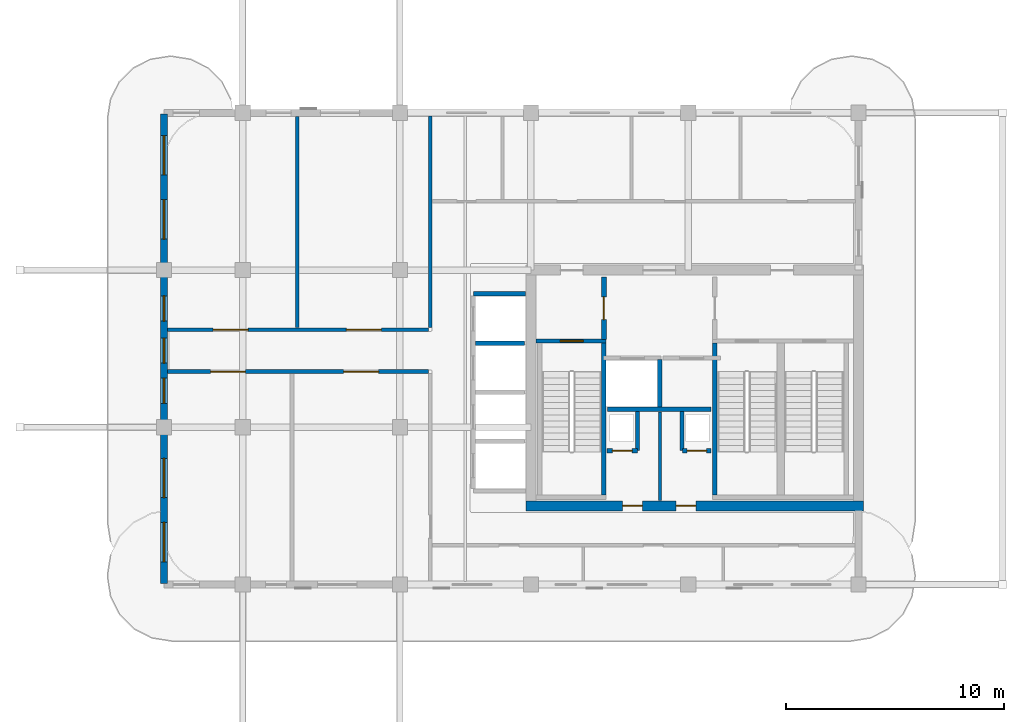
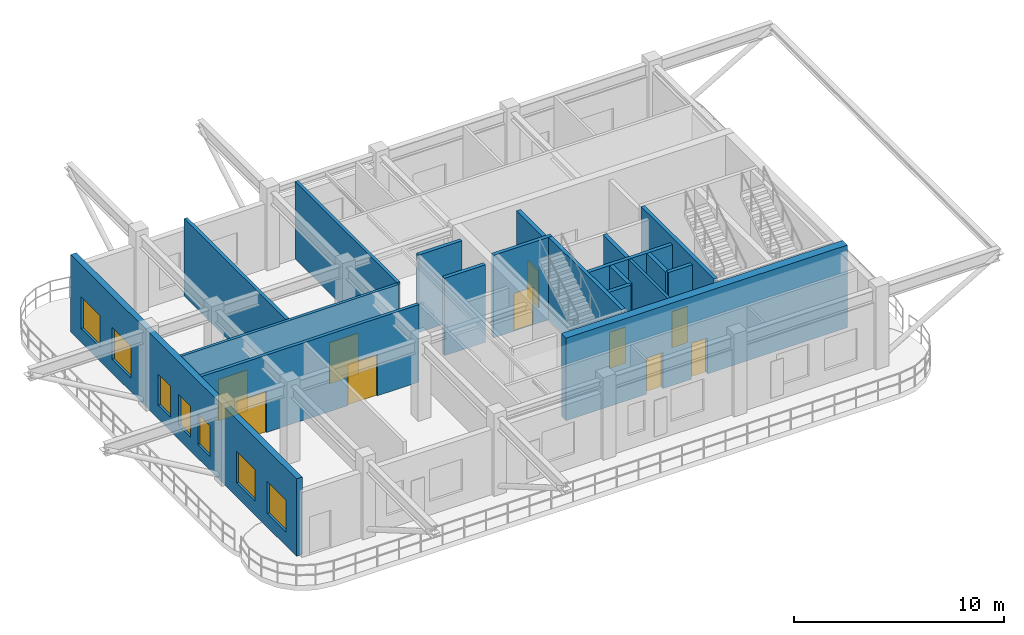
# One storey, part 3 of 8: 19 walls, 10 doors, 7 windows, 17 openings.
"""IFC4 building model written with IfcOpenShell, lengths in metres."""

import ifcopenshell
import ifcopenshell.guid

model = None  # the IFC model being written
_history = None  # IfcOwnerHistory: only IFC2X3 demands one
_inside = {}  # id of a spatial element -> (the spatial element, [elements in it])
_under = {}  # id of a project, library or spatial element -> (it, [spatial elements below it])
_declared = {}  # id of a project -> (the project, [libraries it declares])
_typed = {}  # id of a type object -> (the type object, [elements of that type])
_made_of = {}  # id of a material, layer set ... -> (it, [elements and type objects made of it])


def new_model(schema):
    """Start an empty IFC model of exactly this schema.

    Asked for "IFC4X3", IfcOpenShell would pick the latest addendum, in which some entities
    have other attributes; the version numbers below select the first issue.
    IFC2X3 requires an IfcOwnerHistory on every rooted entity: one is made here for all.
    """
    global model, _history
    if schema == "IFC4X3":
        model = ifcopenshell.file(schema_version=(4, 3, 0, 0))
    else:
        model = ifcopenshell.file(schema=schema)
    _inside.clear()
    _under.clear()
    _declared.clear()
    _typed.clear()
    _made_of.clear()
    _history = None
    if model.schema == "IFC2X3":
        org = make("IfcOrganization", Name="unknown")
        user = make(
            "IfcPersonAndOrganization",
            ThePerson=make("IfcPerson", FamilyName="unknown"),
            TheOrganization=org,
        )
        app = make(
            "IfcApplication",
            ApplicationDeveloper=org,
            Version="unknown",
            ApplicationFullName="unknown",
            ApplicationIdentifier="unknown",
        )
        _history = make(
            "IfcOwnerHistory",
            OwningUser=user,
            OwningApplication=app,
            ChangeAction="ADDED",
            CreationDate=0,
        )
    return model


def make(cls, **values):
    """One entity of the class cls with the attributes given. An attribute that is None is left unset."""
    return model.create_entity(
        cls, **{name: value for name, value in values.items() if value is not None}
    )


def rooted(cls, **values):
    """An entity with a GlobalId (a new one), such as an element, a storey or a relation."""
    return make(cls, GlobalId=ifcopenshell.guid.new(), OwnerHistory=_history, **values)


def si_unit(unit_type, name, prefix=None):
    """IfcSIUnit, for example si_unit("LENGTHUNIT", "METRE", prefix="MILLI")."""
    return make("IfcSIUnit", UnitType=unit_type, Prefix=prefix, Name=name)


def derived_unit(unit_type, elements):
    """IfcDerivedUnit: a product of units, each with its exponent."""
    return make(
        "IfcDerivedUnit",
        Elements=[
            make("IfcDerivedUnitElement", Unit=unit, Exponent=power)
            for unit, power in elements
        ],
        UnitType=unit_type,
    )


def assignment(units):
    """IfcUnitAssignment: the units of a project."""
    return None if units is None else make("IfcUnitAssignment", Units=units)


def point(xyz):
    """IfcCartesianPoint."""
    return None if xyz is None else make("IfcCartesianPoint", Coordinates=xyz)


def direction(xyz):
    """IfcDirection."""
    return None if xyz is None else make("IfcDirection", DirectionRatios=xyz)


def frame(location, z_axis=None, x_axis=None):
    """IfcAxis2Placement3D, a coordinate frame: its origin and axes. An axis left out is left unset."""
    return make(
        "IfcAxis2Placement3D",
        Location=point(location),
        Axis=direction(z_axis),
        RefDirection=direction(x_axis),
    )


def frame_2d(location, x_axis=None):
    """IfcAxis2Placement2D, a coordinate frame in the plane: its origin and x axis."""
    return make(
        "IfcAxis2Placement2D", Location=point(location), RefDirection=direction(x_axis)
    )


def origin():
    """The frame at (0, 0, 0) with its axes left unset."""
    return frame((0.0, 0.0, 0.0))


def place(relative_to, where):
    """IfcLocalPlacement: puts the frame where relative to a parent placement (None: the world)."""
    return make(
        "IfcLocalPlacement", PlacementRelTo=relative_to, RelativePlacement=where
    )


def context(
    kind, dimensions, precision=None, world=None, true_north=None, identifier=None
):
    """IfcGeometricRepresentationContext, for example the 3D "Model" context."""
    return make(
        "IfcGeometricRepresentationContext",
        ContextIdentifier=identifier,
        ContextType=kind,
        CoordinateSpaceDimension=dimensions,
        Precision=precision,
        WorldCoordinateSystem=world,
        TrueNorth=true_north,
    )


def subcontext(parent, identifier, kind, view, scale=None):
    """IfcGeometricRepresentationSubContext, for example "Body" below "Model"."""
    return make(
        "IfcGeometricRepresentationSubContext",
        ContextIdentifier=identifier,
        ContextType=kind,
        ParentContext=parent,
        TargetScale=scale,
        TargetView=view,
    )


def project(units=None, contexts=None):
    """IfcProject with its units and contexts."""
    return rooted(
        "IfcProject",
        Name="project",
        RepresentationContexts=contexts,
        UnitsInContext=assignment(units),
    )


def spatial(cls, under=None, at=None, **own):
    """A site, building, storey or space (cls), placed at a placement, below another one or the project."""
    s = rooted(cls, ObjectPlacement=at, **own)
    if under is not None:
        _under.setdefault(under.id(), (under, []))[1].append(s)
    return s


def profile(cls, at=None, kind="AREA", **sizes):
    """A parametric profile (cls). Its sizes go by their IFC names, for example OverallWidth=200.0."""
    return make(cls, ProfileType=kind, Position=at, **sizes)


def rectangle(**sizes):
    """IfcRectangleProfileDef."""
    return profile("IfcRectangleProfileDef", **sizes)


def extrude(swept, where, along, depth):
    """IfcExtrudedAreaSolid: the profile swept, set in the frame where, extruded along a direction by depth."""
    return make(
        "IfcExtrudedAreaSolid",
        SweptArea=swept,
        Position=where,
        ExtrudedDirection=direction(along),
        Depth=depth,
    )


def shape(context_of_items, identifier, shape_type, items):
    """IfcShapeRepresentation: the items that make up one representation, for example the "Body"."""
    return make(
        "IfcShapeRepresentation",
        ContextOfItems=context_of_items,
        RepresentationIdentifier=identifier,
        RepresentationType=shape_type,
        Items=items,
    )


def source(mapping_origin, context_of_items, identifier, shape_type, items):
    """IfcRepresentationMap: a shape defined once, which mapped items show again and again."""
    return make(
        "IfcRepresentationMap",
        MappingOrigin=mapping_origin,
        MappedRepresentation=shape(context_of_items, identifier, shape_type, items),
    )


def transform(
    local_origin,
    x_axis=None,
    y_axis=None,
    z_axis=None,
    scale=None,
    scale2=None,
    scale3=None,
    uniform=True,
):
    """IfcCartesianTransformationOperator3D, or its non-uniform kind. x_axis, y_axis, z_axis: its Axis1, 2, 3."""
    if uniform:
        return make(
            "IfcCartesianTransformationOperator3D",
            Axis1=direction(x_axis),
            Axis2=direction(y_axis),
            LocalOrigin=point(local_origin),
            Scale=scale,
            Axis3=direction(z_axis),
        )
    return make(
        "IfcCartesianTransformationOperator3DnonUniform",
        Axis1=direction(x_axis),
        Axis2=direction(y_axis),
        LocalOrigin=point(local_origin),
        Scale=scale,
        Axis3=direction(z_axis),
        Scale2=scale2,
        Scale3=scale3,
    )


def mapped(mapping_source, mapping_target):
    """IfcMappedItem: shows the shape of a source again, moved by a transform."""
    return make(
        "IfcMappedItem", MappingSource=mapping_source, MappingTarget=mapping_target
    )


def material(Name=None, Category=None):
    """IfcMaterial."""
    return make("IfcMaterial", Name=Name, Category=Category)


def layer(
    of_material, thickness, ventilated=None, Name=None, Category=None, Priority=None
):
    """IfcMaterialLayer: one layer of a wall or slab, of a material (None: an air gap)."""
    return make(
        "IfcMaterialLayer",
        Material=of_material,
        LayerThickness=thickness,
        IsVentilated=ventilated,
        Name=Name,
        Category=Category,
        Priority=Priority,
    )


def layer_set(layers, Name=None):
    """IfcMaterialLayerSet."""
    return make("IfcMaterialLayerSet", MaterialLayers=layers, LayerSetName=Name)


def made_of(thing, what):
    """Note that an element or type object is made of a material, layer set ...; save() writes the relation."""
    if what is not None:
        _made_of.setdefault(what.id(), (what, []))[1].append(thing)
    return thing


def type_object(cls, material=None, **own):
    """A type object (cls), such as IfcWallType, which elements share."""
    return made_of(rooted(cls, **own), material)


def type_shapes(of_type, sources):
    """Give a type object the sources (RepresentationMaps) that its elements show as mapped items."""
    of_type.RepresentationMaps = sources


def element(
    cls,
    number,
    at=None,
    inside=None,
    cuts=None,
    type_object=None,
    material=None,
    context=None,
    identifier="Body",
    shape_type=None,
    held_by="IfcProductDefinitionShape",
    body=None,
    shapes=None,
    **own,
):
    """One element of the class cls, such as IfcWall. Its Tag is "e" and its number.

    at: its placement. inside: the storey or other place that contains it. cuts: it is an
    opening in that element (IfcRelVoidsElement). A single representation is given by context,
    identifier, shape_type and body (its items); several are given by shapes. held_by: the class
    of the entity that holds the representations. save() writes the other relations.
    """
    e = rooted(cls, Tag="e%d" % number, ObjectPlacement=at, **own)
    if body is not None:
        shapes = [shape(context, identifier, shape_type, body)]
    if shapes is not None:
        e.Representation = make(held_by, Representations=shapes)
    if inside is not None:
        _inside.setdefault(inside.id(), (inside, []))[1].append(e)
    if cuts is not None:
        rooted(
            "IfcRelVoidsElement", RelatingBuildingElement=cuts, RelatedOpeningElement=e
        )
    if type_object is not None:
        _typed.setdefault(type_object.id(), (type_object, []))[1].append(e)
    return made_of(e, material)


def fill(opening, filler):
    """IfcRelFillsElement: the door or window that sits in an opening."""
    return rooted(
        "IfcRelFillsElement",
        RelatingOpeningElement=opening,
        RelatedBuildingElement=filler,
    )


def aggregate(whole, parts):
    """IfcRelAggregates: a whole, such as a stair, and the parts it consists of."""
    return rooted("IfcRelAggregates", RelatingObject=whole, RelatedObjects=parts)


def save(model, path):
    """Write the relations noted so far, then the file.

    IfcRelAggregates (storeys below a building ...), IfcRelContainedInSpatialStructure (elements
    in a storey), IfcRelDefinesByType, IfcRelAssociatesMaterial and IfcRelDeclares: one each for
    every whole, place, type object, material and project.
    """
    for whole, parts in _under.values():
        aggregate(whole, parts)
    for where, things in _inside.values():
        rooted(
            "IfcRelContainedInSpatialStructure",
            RelatedElements=things,
            RelatingStructure=where,
        )
    for kind, things in _typed.values():
        rooted("IfcRelDefinesByType", RelatedObjects=things, RelatingType=kind)
    for what, things in _made_of.values():
        rooted("IfcRelAssociatesMaterial", RelatedObjects=things, RelatingMaterial=what)
    for by, libraries in _declared.values():
        rooted("IfcRelDeclares", RelatingContext=by, RelatedDefinitions=libraries)
    model.write(path)


model = new_model("IFC4")

# Units and contexts
model_context = context("Model", 3, precision=1e-05, world=origin(), true_north=direction((0.0, 1.0)))
body_context = subcontext(model_context, "Body", "Model", "MODEL_VIEW")
ifc_project = project(units=[si_unit("LENGTHUNIT", "METRE"), si_unit("AREAUNIT", "SQUARE_METRE"), si_unit("VOLUMEUNIT", "CUBIC_METRE"), si_unit("PLANEANGLEUNIT", "RADIAN"), si_unit("MASSUNIT", "GRAM", prefix="KILO"), si_unit("THERMODYNAMICTEMPERATUREUNIT", "KELVIN"), si_unit("POWERUNIT", "WATT"), derived_unit("THERMALTRANSMITTANCEUNIT", [(si_unit("POWERUNIT", "WATT"), 1), (si_unit("AREAUNIT", "SQUARE_METRE"), -1), (si_unit("THERMODYNAMICTEMPERATUREUNIT", "KELVIN"), -1)])], contexts=[model_context])

# Site, building, storey
site_placement = place(None, origin())
site = spatial("IfcSite", under=ifc_project, at=site_placement, CompositionType="ELEMENT")
building_placement = place(site_placement, origin())
building = spatial("IfcBuilding", under=site, at=building_placement, Name="Zahravan Archway Hotel and Residences", CompositionType="ELEMENT")
storey_placement = place(building_placement, frame((0.0, 0.0, 294.300048828125)))
storey = spatial("IfcBuildingStorey", under=building, at=storey_placement, Name="L74", CompositionType="ELEMENT", Elevation=294.300048828125)

# Wall, openings, doors
ifc_material_1 = material(Name="Concrete C50/60", Category="concrete")
ifc_layer_1 = layer(ifc_material_1, 0.449951171875, Name="Concrete C50/60", Category="concrete")
ifc_layer_set_1 = layer_set([ifc_layer_1], Name="Concrete C50/60")
wall_type_1 = type_object("IfcWallType", Name="CW-CORE-450", PredefinedType="SHEAR", material=ifc_layer_set_1)
wall_1_placement = place(storey_placement, frame((34.574951171875, 3.60009765625, 0.0), z_axis=(0.0, 0.0, 1.0), x_axis=(1.0, 0.0, 0.0)))
wall_1 = element("IfcWall", 1, at=wall_1_placement, inside=storey, type_object=wall_type_1, Name="L74 Core A Shear S Wall 450 mm", PredefinedType="SHEAR", context=body_context, shape_type="SweptSolid", body=[
    extrude(rectangle(XDim=15.449951171875, YDim=0.449951171875, at=frame_2d((7.72509765625, 0.0))), origin(), (0.0, 0.0, 1.0), 4.800048828125),
])
opening_1_placement = place(wall_1_placement, frame((4.425048828125, 0.0, 0.0)))
opening_1 = element("IfcOpeningElement", 2, at=opening_1_placement, cuts=wall_1, Name="Opening FD-R1", PredefinedType="OPENING", context=body_context, shape_type="SweptSolid", body=[
    extrude(rectangle(XDim=0.89990234375, YDim=2.10009765625, at=frame_2d((0.449951171875, 1.050048828125))), frame((0.0, 0.23486328125, 0.0), z_axis=(0.0, -1.0, 0.0), x_axis=(1.0, 0.0, 0.0)), (0.0, 0.0, 1.0), 0.469970703125),
])
opening_2_placement = place(wall_1_placement, frame((6.875, 0.0, 0.0)))
opening_2 = element("IfcOpeningElement", 3, at=opening_2_placement, cuts=wall_1, Name="Opening FD-R1", PredefinedType="OPENING", context=body_context, shape_type="SweptSolid", body=[
    extrude(rectangle(XDim=0.89990234375, YDim=2.10009765625, at=frame_2d((0.449951171875, 1.050048828125))), frame((0.0, 0.23486328125, 0.0), z_axis=(0.0, -1.0, 0.0), x_axis=(1.0, 0.0, 0.0)), (0.0, 0.0, 1.0), 0.469970703125),
])
ifc_material_2 = material(Name="Fire-Rated Painted Steel", Category="steel")
door_type_1 = type_object("IfcDoorType", Name="FD-RISER-900", OperationType="NOTDEFINED", PredefinedType="DOOR", material=ifc_material_2)
shared_shape_1 = source(origin(), body_context, "Body", "SweptSolid", [
    extrude(rectangle(XDim=0.89990234375, YDim=2.10009765625, at=frame_2d((0.449951171875, 1.050048828125))), frame((0.0, 0.02490234375, 0.0), z_axis=(0.0, -1.0, 0.0), x_axis=(1.0, 0.0, 0.0)), (0.0, 0.0, 1.0), 0.050048828125),
])
type_shapes(door_type_1, [shared_shape_1])
door_1_placement = place(opening_1_placement, origin())
door_1 = element("IfcDoor", 4, at=door_1_placement, inside=storey, type_object=door_type_1, Name="L74 Electrical Switchgear Door", OperationType="SINGLE_SWING_LEFT", OverallHeight=2.10009765625, OverallWidth=0.89990234375, PredefinedType="DOOR", context=body_context, shape_type="MappedRepresentation", body=[
    mapped(shared_shape_1, transform((0.0, 0.0, 0.0), scale=1.0)),
])
fill(opening_1, door_1)
door_2_placement = place(opening_2_placement, origin())
door_2 = element("IfcDoor", 5, at=door_2_placement, inside=storey, type_object=door_type_1, Name="L74 Telecom BMS Door", OperationType="SINGLE_SWING_RIGHT", OverallHeight=2.10009765625, OverallWidth=0.89990234375, PredefinedType="DOOR", context=body_context, shape_type="MappedRepresentation", body=[
    mapped(shared_shape_1, transform((0.0, 0.0, 0.0), scale=1.0)),
])
fill(opening_2, door_2)

# Wall, openings, windows
ifc_material_3 = material(Name="Agra Buff Sandstone & Insulated Backup", Category="masonry")
ifc_layer_2 = layer(ifc_material_3, 0.320068359375, Name="Agra Buff Sandstone & Insulated Backup", Category="masonry")
ifc_layer_set_2 = layer_set([ifc_layer_2], Name="Agra Buff Sandstone & Insulated Backup")
wall_type_2 = type_object("IfcWallType", Name="EW-SAND-320", PredefinedType="SOLIDWALL", material=ifc_layer_set_2)
wall_2_placement = place(storey_placement, frame((18.0, 0.050048828125, 0.0), z_axis=(0.0, 0.0, 1.0), x_axis=(0.0, 1.0, 0.0)))
wall_2 = element("IfcWall", 6, at=wall_2_placement, inside=storey, type_object=wall_type_2, Name="L74 Exterior Sandstone Wall WA-W", PredefinedType="SOLIDWALL", context=body_context, shape_type="SweptSolid", body=[
    extrude(rectangle(XDim=21.5, YDim=0.320068359375, at=frame_2d((10.75, 0.0))), origin(), (0.0, 0.0, 1.0), 4.5),
])
opening_3_placement = place(wall_2_placement, frame((0.989990234375, 0.0, 0.800048828125)))
opening_3 = element("IfcOpeningElement", 7, at=opening_3_placement, cuts=wall_2, Name="Opening W-02", PredefinedType="OPENING", context=body_context, shape_type="SweptSolid", body=[
    extrude(rectangle(XDim=1.800048828125, YDim=1.85009765625, at=frame_2d((0.89990234375, 0.925048828125))), frame((0.0, 0.169921875, 0.0), z_axis=(0.0, -1.0, 0.0), x_axis=(1.0, 0.0, 0.0)), (0.0, 0.0, 1.0), 0.340087890625),
])
opening_4_placement = place(wall_2_placement, frame((3.929931640625, 0.0, 0.800048828125)))
opening_4 = element("IfcOpeningElement", 8, at=opening_4_placement, cuts=wall_2, Name="Opening W-02", PredefinedType="OPENING", context=body_context, shape_type="SweptSolid", body=[
    extrude(rectangle(XDim=1.800048828125, YDim=1.85009765625, at=frame_2d((0.89990234375, 0.925048828125))), frame((0.0, 0.169921875, 0.0), z_axis=(0.0, -1.0, 0.0), x_axis=(1.0, 0.0, 0.0)), (0.0, 0.0, 1.0), 0.340087890625),
])
opening_5_placement = place(wall_2_placement, frame((8.24609375, 0.0, 0.800048828125)))
opening_5 = element("IfcOpeningElement", 9, at=opening_5_placement, cuts=wall_2, Name="Opening W-05", PredefinedType="OPENING", context=body_context, shape_type="SweptSolid", body=[
    extrude(rectangle(XDim=1.14990234375, YDim=1.800048828125, at=frame_2d((0.574951171875, 0.89990234375))), frame((0.0, 0.169921875, 0.0), z_axis=(0.0, -1.0, 0.0), x_axis=(1.0, 0.0, 0.0)), (0.0, 0.0, 1.0), 0.340087890625),
])
opening_6_placement = place(wall_2_placement, frame((10.0849609375, 0.0, 0.800048828125)))
opening_6 = element("IfcOpeningElement", 10, at=opening_6_placement, cuts=wall_2, Name="Opening W-05", PredefinedType="OPENING", context=body_context, shape_type="SweptSolid", body=[
    extrude(rectangle(XDim=1.14990234375, YDim=1.800048828125, at=frame_2d((0.574951171875, 0.89990234375))), frame((0.0, 0.169921875, 0.0), z_axis=(0.0, -1.0, 0.0), x_axis=(1.0, 0.0, 0.0)), (0.0, 0.0, 1.0), 0.340087890625),
])
opening_7_placement = place(wall_2_placement, frame((12.013916015625, 0.0, 0.800048828125)))
opening_7 = element("IfcOpeningElement", 11, at=opening_7_placement, cuts=wall_2, Name="Opening W-05", PredefinedType="OPENING", context=body_context, shape_type="SweptSolid", body=[
    extrude(rectangle(XDim=1.14990234375, YDim=1.800048828125, at=frame_2d((0.574951171875, 0.89990234375))), frame((0.0, 0.169921875, 0.0), z_axis=(0.0, -1.0, 0.0), x_axis=(1.0, 0.0, 0.0)), (0.0, 0.0, 1.0), 0.340087890625),
])
opening_8_placement = place(wall_2_placement, frame((15.77001953125, 0.0, 0.800048828125)))
opening_8 = element("IfcOpeningElement", 12, at=opening_8_placement, cuts=wall_2, Name="Opening W-02", PredefinedType="OPENING", context=body_context, shape_type="SweptSolid", body=[
    extrude(rectangle(XDim=1.800048828125, YDim=1.85009765625, at=frame_2d((0.89990234375, 0.925048828125))), frame((0.0, 0.169921875, 0.0), z_axis=(0.0, -1.0, 0.0), x_axis=(1.0, 0.0, 0.0)), (0.0, 0.0, 1.0), 0.340087890625),
])
opening_9_placement = place(wall_2_placement, frame((18.7099609375, 0.0, 0.800048828125)))
opening_9 = element("IfcOpeningElement", 13, at=opening_9_placement, cuts=wall_2, Name="Opening W-02", PredefinedType="OPENING", context=body_context, shape_type="SweptSolid", body=[
    extrude(rectangle(XDim=1.800048828125, YDim=1.85009765625, at=frame_2d((0.89990234375, 0.925048828125))), frame((0.0, 0.169921875, 0.0), z_axis=(0.0, -1.0, 0.0), x_axis=(1.0, 0.0, 0.0)), (0.0, 0.0, 1.0), 0.340087890625),
])
ifc_material_4 = material(Name="Bronze-Anodized Thermal-Break Aluminium & Low-E Glass", Category="aluminium")
window_type_1 = type_object("IfcWindowType", Name="WIN-TWR-1800", PartitioningType="DOUBLE_PANEL_VERTICAL", PredefinedType="WINDOW", material=ifc_material_4)
shared_shape_2 = source(origin(), body_context, "Body", "SweptSolid", [
    extrude(rectangle(XDim=1.800048828125, YDim=1.85009765625, at=frame_2d((0.89990234375, 0.925048828125))), frame((0.0, 0.030029296875, 0.0), z_axis=(0.0, -1.0, 0.0), x_axis=(1.0, 0.0, 0.0)), (0.0, 0.0, 1.0), 0.06005859375),
])
type_shapes(window_type_1, [shared_shape_2])
window_1_placement = place(opening_3_placement, origin())
window_1 = element("IfcWindow", 14, at=window_1_placement, inside=storey, type_object=window_type_1, Name="L74 Loggia Window 16", OverallHeight=1.85009765625, OverallWidth=1.800048828125, PartitioningType="DOUBLE_PANEL_VERTICAL", PredefinedType="WINDOW", context=body_context, shape_type="MappedRepresentation", body=[
    mapped(shared_shape_2, transform((0.0, 0.0, 0.0), scale=1.0)),
])
fill(opening_3, window_1)
window_2_placement = place(opening_4_placement, origin())
window_2 = element("IfcWindow", 15, at=window_2_placement, inside=storey, type_object=window_type_1, Name="L74 Loggia Window 17", OverallHeight=1.85009765625, OverallWidth=1.800048828125, PartitioningType="DOUBLE_PANEL_VERTICAL", PredefinedType="WINDOW", context=body_context, shape_type="MappedRepresentation", body=[
    mapped(shared_shape_2, transform((0.0, 0.0, 0.0), scale=1.0)),
])
fill(opening_4, window_2)
window_3_placement = place(opening_8_placement, origin())
window_3 = element("IfcWindow", 16, at=window_3_placement, inside=storey, type_object=window_type_1, Name="L74 Loggia Window 21", OverallHeight=1.85009765625, OverallWidth=1.800048828125, PartitioningType="DOUBLE_PANEL_VERTICAL", PredefinedType="WINDOW", context=body_context, shape_type="MappedRepresentation", body=[
    mapped(shared_shape_2, transform((0.0, 0.0, 0.0), scale=1.0)),
])
fill(opening_8, window_3)
window_4_placement = place(opening_9_placement, origin())
window_4 = element("IfcWindow", 17, at=window_4_placement, inside=storey, type_object=window_type_1, Name="L74 Loggia Window 22", OverallHeight=1.85009765625, OverallWidth=1.800048828125, PartitioningType="DOUBLE_PANEL_VERTICAL", PredefinedType="WINDOW", context=body_context, shape_type="MappedRepresentation", body=[
    mapped(shared_shape_2, transform((0.0, 0.0, 0.0), scale=1.0)),
])
fill(opening_9, window_4)
window_type_2 = type_object("IfcWindowType", Name="WIN-TWR-1150", PartitioningType="SINGLE_PANEL", PredefinedType="WINDOW", material=ifc_material_4)
shared_shape_3 = source(origin(), body_context, "Body", "SweptSolid", [
    extrude(rectangle(XDim=1.14990234375, YDim=1.800048828125, at=frame_2d((0.574951171875, 0.89990234375))), frame((0.0, 0.030029296875, 0.0), z_axis=(0.0, -1.0, 0.0), x_axis=(1.0, 0.0, 0.0)), (0.0, 0.0, 1.0), 0.06005859375),
])
type_shapes(window_type_2, [shared_shape_3])
window_5_placement = place(opening_5_placement, origin())
window_5 = element("IfcWindow", 18, at=window_5_placement, inside=storey, type_object=window_type_2, Name="L74 Loggia Window 18", OverallHeight=1.800048828125, OverallWidth=1.14990234375, PartitioningType="SINGLE_PANEL", PredefinedType="WINDOW", context=body_context, shape_type="MappedRepresentation", body=[
    mapped(shared_shape_3, transform((0.0, 0.0, 0.0), scale=1.0)),
])
fill(opening_5, window_5)
window_6_placement = place(opening_6_placement, origin())
window_6 = element("IfcWindow", 19, at=window_6_placement, inside=storey, type_object=window_type_2, Name="L74 Loggia Window 19", OverallHeight=1.800048828125, OverallWidth=1.14990234375, PartitioningType="SINGLE_PANEL", PredefinedType="WINDOW", context=body_context, shape_type="MappedRepresentation", body=[
    mapped(shared_shape_3, transform((0.0, 0.0, 0.0), scale=1.0)),
])
fill(opening_6, window_6)
window_7_placement = place(opening_7_placement, origin())
window_7 = element("IfcWindow", 20, at=window_7_placement, inside=storey, type_object=window_type_2, Name="L74 Loggia Window 20", OverallHeight=1.800048828125, OverallWidth=1.14990234375, PartitioningType="SINGLE_PANEL", PredefinedType="WINDOW", context=body_context, shape_type="MappedRepresentation", body=[
    mapped(shared_shape_3, transform((0.0, 0.0, 0.0), scale=1.0)),
])
fill(opening_7, window_7)

# Wall, opening, door
ifc_material_5 = material(Name="Fire-Rated Gypsum & Concrete Block", Category="concrete")
ifc_layer_3 = layer(ifc_material_5, 0.219970703125, Name="Fire-Rated Gypsum & Concrete Block", Category="concrete")
ifc_layer_set_3 = layer_set([ifc_layer_3], Name="Fire-Rated Gypsum & Concrete Block")
wall_type_3 = type_object("IfcWallType", Name="PW-COMP-220", PredefinedType="PARTITIONING", material=ifc_layer_set_3)
wall_3_placement = place(storey_placement, frame((38.139892578125, 11.219970703125, 0.0), z_axis=(0.0, 0.0, 1.0), x_axis=(0.0, 1.0, 0.0)))
wall_3 = element("IfcWall", 21, at=wall_3_placement, inside=storey, type_object=wall_type_3, Name="L74 Partition CA-LOBW", PredefinedType="PARTITIONING", context=body_context, shape_type="SweptSolid", body=[
    extrude(rectangle(XDim=2.860107421875, YDim=0.219970703125, at=frame_2d((1.43017578125, 0.0))), origin(), (0.0, 0.0, 1.0), 4.5),
])
opening_10_placement = place(wall_3_placement, frame((0.905029296875, 0.0, 0.0)))
opening_10 = element("IfcOpeningElement", 22, at=opening_10_placement, cuts=wall_3, Name="Opening FD-L2", PredefinedType="OPENING", context=body_context, shape_type="SweptSolid", body=[
    extrude(rectangle(XDim=1.050048828125, YDim=2.14990234375, at=frame_2d((0.52490234375, 1.074951171875))), frame((0.0, 0.1201171875, 0.0), z_axis=(0.0, -1.0, 0.0), x_axis=(1.0, 0.0, 0.0)), (0.0, 0.0, 1.0), 0.239990234375),
])
door_type_2 = type_object("IfcDoorType", Name="FD-LOBBY-1100", OperationType="NOTDEFINED", PredefinedType="DOOR", material=ifc_material_2)
shared_shape_4 = source(origin(), body_context, "Body", "SweptSolid", [
    extrude(rectangle(XDim=1.050048828125, YDim=2.14990234375, at=frame_2d((0.52490234375, 1.074951171875))), frame((0.0, 0.02490234375, 0.0), z_axis=(0.0, -1.0, 0.0), x_axis=(1.0, 0.0, 0.0)), (0.0, 0.0, 1.0), 0.050048828125),
])
type_shapes(door_type_2, [shared_shape_4])
door_3_placement = place(opening_10_placement, origin())
door_3 = element("IfcDoor", 23, at=door_3_placement, inside=storey, type_object=door_type_2, Name="L74 Core A West Stair to FSAE Lobby Door", OperationType="SINGLE_SWING_LEFT", OverallHeight=2.14990234375, OverallWidth=1.050048828125, PredefinedType="DOOR", context=body_context, shape_type="MappedRepresentation", body=[
    mapped(shared_shape_4, transform((0.0, 0.0, 0.0), scale=1.0)),
])
fill(opening_10, door_3)

# Wall, openings, doors
ifc_layer_4 = layer(ifc_material_5, 0.159912109375, Name="Fire-Rated Gypsum & Concrete Block", Category="concrete")
ifc_layer_set_4 = layer_set([ifc_layer_4], Name="Fire-Rated Gypsum & Concrete Block")
wall_type_4 = type_object("IfcWallType", Name="PW-CORR-160", PredefinedType="PARTITIONING", material=ifc_layer_set_4)
wall_4_placement = place(storey_placement, frame((18.16796875, 11.669921875, 0.0), z_axis=(0.0, 0.0, 1.0), x_axis=(1.0, 0.0, 0.0)))
wall_4 = element("IfcWall", 24, at=wall_4_placement, inside=storey, type_object=wall_type_4, Name="L74 Partition WA-CN", PredefinedType="PARTITIONING", context=body_context, shape_type="SweptSolid", body=[
    extrude(rectangle(XDim=11.942138671875, YDim=0.159912109375, at=frame_2d((5.97119140625, 0.0))), origin(), (0.0, 0.0, 1.0), 4.5),
])
opening_11_placement = place(wall_4_placement, frame((2.08203125, 0.0, 0.0)))
opening_11 = element("IfcOpeningElement", 25, at=opening_11_placement, cuts=wall_4, Name="Opening D-P2", PredefinedType="OPENING", context=body_context, shape_type="SweptSolid", body=[
    extrude(rectangle(XDim=1.60009765625, YDim=2.39990234375, at=frame_2d((0.800048828125, 1.199951171875))), frame((0.0, 0.08984375, 0.0), z_axis=(0.0, -1.0, 0.0), x_axis=(1.0, 0.0, 0.0)), (0.0, 0.0, 1.0), 0.179931640625),
])
opening_12_placement = place(wall_4_placement, frame((8.181884765625, 0.0, 0.0)))
opening_12 = element("IfcOpeningElement", 26, at=opening_12_placement, cuts=wall_4, Name="Opening D-P2", PredefinedType="OPENING", context=body_context, shape_type="SweptSolid", body=[
    extrude(rectangle(XDim=1.60009765625, YDim=2.39990234375, at=frame_2d((0.800048828125, 1.199951171875))), frame((0.0, 0.08984375, 0.0), z_axis=(0.0, -1.0, 0.0), x_axis=(1.0, 0.0, 0.0)), (0.0, 0.0, 1.0), 0.179931640625),
])
ifc_material_6 = material(Name="Bronze-Anodized Glazed Aluminium", Category="aluminium")
door_type_3 = type_object("IfcDoorType", Name="ID-PUBLIC-1600", OperationType="DOUBLE_DOOR_SINGLE_SWING", PredefinedType="DOOR", material=ifc_material_6)
shared_shape_5 = source(origin(), body_context, "Body", "SweptSolid", [
    extrude(rectangle(XDim=1.60009765625, YDim=2.39990234375, at=frame_2d((0.800048828125, 1.199951171875))), frame((0.0, 0.02490234375, 0.0), z_axis=(0.0, -1.0, 0.0), x_axis=(1.0, 0.0, 0.0)), (0.0, 0.0, 1.0), 0.050048828125),
])
type_shapes(door_type_3, [shared_shape_5])
door_4_placement = place(opening_11_placement, origin())
door_4 = element("IfcDoor", 27, at=door_4_placement, inside=storey, type_object=door_type_3, Name="L74 Sky Cafe Door", OperationType="DOUBLE_DOOR_SINGLE_SWING", OverallHeight=2.39990234375, OverallWidth=1.60009765625, PredefinedType="DOOR", context=body_context, shape_type="MappedRepresentation", body=[
    mapped(shared_shape_5, transform((0.0, 0.0, 0.0), scale=1.0)),
])
fill(opening_11, door_4)
door_5_placement = place(opening_12_placement, origin())
door_5 = element("IfcDoor", 28, at=door_5_placement, inside=storey, type_object=door_type_3, Name="L74 North Observatory Door", OperationType="DOUBLE_DOOR_SINGLE_SWING", OverallHeight=2.39990234375, OverallWidth=1.60009765625, PredefinedType="DOOR", context=body_context, shape_type="MappedRepresentation", body=[
    mapped(shared_shape_5, transform((0.0, 0.0, 0.0), scale=1.0)),
])
fill(opening_12, door_5)

# Wall
wall_5_placement = place(storey_placement, frame((30.199951171875, 11.760009765625, 0.0), z_axis=(0.0, 0.0, 1.0), x_axis=(0.0, 1.0, 0.0)))
element("IfcWall", 29, at=wall_5_placement, inside=storey, type_object=wall_type_4, Name="L74 Partition WA-FW", PredefinedType="PARTITIONING", context=body_context, shape_type="SweptSolid", body=[
    extrude(rectangle(XDim=9.699951171875, YDim=0.159912109375, at=frame_2d((4.85009765625, 0.0))), origin(), (0.0, 0.0, 1.0), 4.5),
])

# Wall, openings, doors
ifc_layer_5 = layer(ifc_material_5, 0.179931640625, Name="Fire-Rated Gypsum & Concrete Block", Category="concrete")
ifc_layer_set_5 = layer_set([ifc_layer_5], Name="Fire-Rated Gypsum & Concrete Block")
wall_type_5 = type_object("IfcWallType", Name="PW-CORR-180", PredefinedType="PARTITIONING", material=ifc_layer_set_5)
wall_6_placement = place(storey_placement, frame((18.16796875, 9.75, 0.0), z_axis=(0.0, 0.0, 1.0), x_axis=(1.0, 0.0, 0.0)))
wall_6 = element("IfcWall", 30, at=wall_6_placement, inside=storey, type_object=wall_type_5, Name="L74 Partition WA-CS", PredefinedType="PARTITIONING", context=body_context, shape_type="SweptSolid", body=[
    extrude(rectangle(XDim=11.942138671875, YDim=0.179931640625, at=frame_2d((5.97119140625, 0.0))), origin(), (0.0, 0.0, 1.0), 4.5),
])
opening_13_placement = place(wall_6_placement, frame((1.9599609375, 0.0, 0.0)))
opening_13 = element("IfcOpeningElement", 31, at=opening_13_placement, cuts=wall_6, Name="Opening D-P2", PredefinedType="OPENING", context=body_context, shape_type="SweptSolid", body=[
    extrude(rectangle(XDim=1.60009765625, YDim=2.39990234375, at=frame_2d((0.800048828125, 1.199951171875))), frame((0.0, 0.10009765625, 0.0), z_axis=(0.0, -1.0, 0.0), x_axis=(1.0, 0.0, 0.0)), (0.0, 0.0, 1.0), 0.199951171875),
])
opening_14_placement = place(wall_6_placement, frame((8.06005859375, 0.0, 0.0)))
opening_14 = element("IfcOpeningElement", 32, at=opening_14_placement, cuts=wall_6, Name="Opening D-P2", PredefinedType="OPENING", context=body_context, shape_type="SweptSolid", body=[
    extrude(rectangle(XDim=1.60009765625, YDim=2.39990234375, at=frame_2d((0.800048828125, 1.199951171875))), frame((0.0, 0.10009765625, 0.0), z_axis=(0.0, -1.0, 0.0), x_axis=(1.0, 0.0, 0.0)), (0.0, 0.0, 1.0), 0.199951171875),
])
door_6_placement = place(opening_13_placement, origin())
door_6 = element("IfcDoor", 33, at=door_6_placement, inside=storey, type_object=door_type_3, Name="L74 South Observatory Door", OperationType="DOUBLE_DOOR_SINGLE_SWING", OverallHeight=2.39990234375, OverallWidth=1.60009765625, PredefinedType="DOOR", context=body_context, shape_type="MappedRepresentation", body=[
    mapped(shared_shape_5, transform((0.0, 0.0, 0.0), scale=1.0)),
])
fill(opening_13, door_6)
door_7_placement = place(opening_14_placement, origin())
door_7 = element("IfcDoor", 34, at=door_7_placement, inside=storey, type_object=door_type_3, Name="L74 Summit Majlis Door", OperationType="DOUBLE_DOOR_SINGLE_SWING", OverallHeight=2.39990234375, OverallWidth=1.60009765625, PredefinedType="DOOR", context=body_context, shape_type="MappedRepresentation", body=[
    mapped(shared_shape_5, transform((0.0, 0.0, 0.0), scale=1.0)),
])
fill(opening_14, door_7)

# Walls
wall_7_placement = place(storey_placement, frame((24.10009765625, 11.760009765625, 0.0), z_axis=(0.0, 0.0, 1.0), x_axis=(0.0, 1.0, 0.0)))
element("IfcWall", 35, at=wall_7_placement, inside=storey, type_object=wall_type_5, Name="L74 Partition WAN-OB", PredefinedType="PARTITIONING", context=body_context, shape_type="SweptSolid", body=[
    extrude(rectangle(XDim=9.671875, YDim=0.179931640625, at=frame_2d((4.8359375, 0.0))), origin(), (0.0, 0.0, 1.0), 4.5),
])
ifc_layer_6 = layer(ifc_material_5, 0.199951171875, Name="Fire-Rated Gypsum & Concrete Block", Category="concrete")
ifc_layer_set_6 = layer_set([ifc_layer_6], Name="Fire-Rated Gypsum & Concrete Block")
wall_type_6 = type_object("IfcWallType", Name="PW-SHAFT-200", PredefinedType="PARTITIONING", material=ifc_layer_set_6)
wall_8_placement = place(storey_placement, frame((38.300048828125, 8.030029296875, 0.0), z_axis=(0.0, 0.0, 1.0), x_axis=(1.0, 0.0, 0.0)))
element("IfcWall", 36, at=wall_8_placement, inside=storey, type_object=wall_type_6, Name="L74 Partition CA-FLS", PredefinedType="PARTITIONING", context=body_context, shape_type="SweptSolid", body=[
    extrude(rectangle(XDim=4.739990234375, YDim=0.199951171875, at=frame_2d((2.3701171875, 0.0))), origin(), (0.0, 0.0, 1.0), 4.5),
])
wall_9_placement = place(storey_placement, frame((40.699951171875, 8.1201171875, 0.0), z_axis=(0.0, 0.0, 1.0), x_axis=(0.0, 1.0, 0.0)))
element("IfcWall", 37, at=wall_9_placement, inside=storey, type_object=wall_type_6, Name="L74 Partition CA-FLM", PredefinedType="PARTITIONING", context=body_context, shape_type="SweptSolid", body=[
    extrude(rectangle(XDim=2.179931640625, YDim=0.199951171875, at=frame_2d((1.08984375, 0.0))), origin(), (0.0, 0.0, 1.0), 4.5),
])

# Wall, opening, door
wall_10_placement = place(storey_placement, frame((38.2900390625, 6.1201171875, 0.0), z_axis=(0.0, 0.0, 1.0), x_axis=(1.0, 0.0, 0.0)))
wall_10 = element("IfcWall", 38, at=wall_10_placement, inside=storey, type_object=wall_type_6, Name="L74 Partition CA-SMKS", PredefinedType="PARTITIONING", context=body_context, shape_type="SweptSolid", body=[
    extrude(rectangle(XDim=1.3798828125, YDim=0.199951171875, at=frame_2d((0.68994140625, 0.0))), origin(), (0.0, 0.0, 1.0), 4.5),
])
opening_15_placement = place(wall_10_placement, frame((0.239990234375, 0.0, 0.0)))
opening_15 = element("IfcOpeningElement", 39, at=opening_15_placement, cuts=wall_10, Name="Opening FD-R1", PredefinedType="OPENING", context=body_context, shape_type="SweptSolid", body=[
    extrude(rectangle(XDim=0.89990234375, YDim=2.10009765625, at=frame_2d((0.449951171875, 1.050048828125))), frame((0.0, 0.10986328125, 0.0), z_axis=(0.0, -1.0, 0.0), x_axis=(1.0, 0.0, 0.0)), (0.0, 0.0, 1.0), 0.219970703125),
])
door_8_placement = place(opening_15_placement, origin())
door_8 = element("IfcDoor", 40, at=door_8_placement, inside=storey, type_object=door_type_1, Name="L74 Smoke Riser Access Door", OperationType="SINGLE_SWING_LEFT", OverallHeight=2.10009765625, OverallWidth=0.89990234375, PredefinedType="DOOR", context=body_context, shape_type="MappedRepresentation", body=[
    mapped(shared_shape_1, transform((0.0, 0.0, 0.0), scale=1.0)),
])
fill(opening_15, door_8)

# Wall
wall_11_placement = place(storey_placement, frame((39.679931640625, 6.1298828125, 0.0), z_axis=(0.0, 0.0, 1.0), x_axis=(0.0, 1.0, 0.0)))
element("IfcWall", 41, at=wall_11_placement, inside=storey, type_object=wall_type_6, Name="L74 Partition CA-SMKE", PredefinedType="PARTITIONING", context=body_context, shape_type="SweptSolid", body=[
    extrude(rectangle(XDim=1.7900390625, YDim=0.199951171875, at=frame_2d((0.89501953125, 0.0))), origin(), (0.0, 0.0, 1.0), 4.5),
])

# Wall, opening, door
wall_12_placement = place(storey_placement, frame((41.72998046875, 6.1201171875, 0.0), z_axis=(0.0, 0.0, 1.0), x_axis=(1.0, 0.0, 0.0)))
wall_12 = element("IfcWall", 42, at=wall_12_placement, inside=storey, type_object=wall_type_6, Name="L74 Partition CA-MEPS", PredefinedType="PARTITIONING", context=body_context, shape_type="SweptSolid", body=[
    extrude(rectangle(XDim=1.320068359375, YDim=0.199951171875, at=frame_2d((0.66015625, 0.0))), origin(), (0.0, 0.0, 1.0), 4.5),
])
opening_16_placement = place(wall_12_placement, frame((0.219970703125, 0.0, 0.0)))
opening_16 = element("IfcOpeningElement", 43, at=opening_16_placement, cuts=wall_12, Name="Opening FD-R1", PredefinedType="OPENING", context=body_context, shape_type="SweptSolid", body=[
    extrude(rectangle(XDim=0.89990234375, YDim=2.10009765625, at=frame_2d((0.449951171875, 1.050048828125))), frame((0.0, 0.10986328125, 0.0), z_axis=(0.0, -1.0, 0.0), x_axis=(1.0, 0.0, 0.0)), (0.0, 0.0, 1.0), 0.219970703125),
])
door_9_placement = place(opening_16_placement, origin())
door_9 = element("IfcDoor", 44, at=door_9_placement, inside=storey, type_object=door_type_1, Name="L74 MEP Riser Access Door", OperationType="SINGLE_SWING_RIGHT", OverallHeight=2.10009765625, OverallWidth=0.89990234375, PredefinedType="DOOR", context=body_context, shape_type="MappedRepresentation", body=[
    mapped(shared_shape_1, transform((0.0, 0.0, 0.0), scale=1.0)),
])
fill(opening_16, door_9)

# Walls
wall_13_placement = place(storey_placement, frame((41.719970703125, 6.1298828125, 0.0), z_axis=(0.0, 0.0, 1.0), x_axis=(0.0, 1.0, 0.0)))
element("IfcWall", 45, at=wall_13_placement, inside=storey, type_object=wall_type_6, Name="L74 Partition CA-MEPW", PredefinedType="PARTITIONING", context=body_context, shape_type="SweptSolid", body=[
    extrude(rectangle(XDim=1.7900390625, YDim=0.199951171875, at=frame_2d((0.89501953125, 0.0))), origin(), (0.0, 0.0, 1.0), 4.5),
])
wall_14_placement = place(storey_placement, frame((32.159912109375, 13.320068359375, 0.0), z_axis=(0.0, 0.0, 1.0), x_axis=(1.0, 0.0, 0.0)))
element("IfcWall", 46, at=wall_14_placement, inside=storey, type_object=wall_type_6, Name="L74 Partition B3-N", PredefinedType="PARTITIONING", context=body_context, shape_type="SweptSolid", body=[
    extrude(rectangle(XDim=2.385009765625, YDim=0.199951171875, at=frame_2d((1.1923828125, 0.0))), origin(), (0.0, 0.0, 1.0), 4.5),
])
wall_15_placement = place(storey_placement, frame((32.260009765625, 11.0400390625, 0.0), z_axis=(0.0, 0.0, 1.0), x_axis=(1.0, 0.0, 0.0)))
element("IfcWall", 47, at=wall_15_placement, inside=storey, type_object=wall_type_6, Name="L74 Partition B3-D", PredefinedType="PARTITIONING", context=body_context, shape_type="SweptSolid", body=[
    extrude(rectangle(XDim=2.2548828125, YDim=0.199951171875, at=frame_2d((1.12744140625, 0.0))), origin(), (0.0, 0.0, 1.0), 4.5),
])
ifc_material_7 = material(Name="Moisture-Resistant Blockwork", Category="masonry")
ifc_layer_7 = layer(ifc_material_7, 0.139892578125, Name="Moisture-Resistant Blockwork", Category="masonry")
ifc_layer_set_7 = layer_set([ifc_layer_7], Name="Moisture-Resistant Blockwork")
wall_type_7 = type_object("IfcWallType", Name="PW-WET-140", PredefinedType="PARTITIONING", material=ifc_layer_set_7)
wall_16_placement = place(storey_placement, frame((40.699951171875, 3.844970703125, 0.0), z_axis=(0.0, 0.0, 1.0), x_axis=(0.0, 1.0, 0.0)))
element("IfcWall", 48, at=wall_16_placement, inside=storey, type_object=wall_type_7, Name="L74 Partition CA-CV0", PredefinedType="PARTITIONING", context=body_context, shape_type="SweptSolid", body=[
    extrude(rectangle(XDim=4.06494140625, YDim=0.139892578125, at=frame_2d((2.032470703125, 0.0))), origin(), (0.0, 0.0, 1.0), 4.5),
])
ifc_layer_8 = layer(ifc_material_1, 0.199951171875, Name="Concrete C50/60", Category="concrete")
ifc_layer_set_8 = layer_set([ifc_layer_8], Name="Concrete C50/60")
wall_type_8 = type_object("IfcWallType", Name="SW-STAIR-200", PredefinedType="SHEAR", material=ifc_layer_set_8)
wall_17_placement = place(storey_placement, frame((38.139892578125, 4.10009765625, 0.0), z_axis=(0.0, 0.0, 1.0), x_axis=(0.0, 1.0, 0.0)))
element("IfcWall", 49, at=wall_17_placement, inside=storey, type_object=wall_type_8, Name="L74 Stairwell RC Wall CA-SA1E", PredefinedType="SHEAR", context=body_context, shape_type="SweptSolid", body=[
    extrude(rectangle(XDim=6.949951171875, YDim=0.199951171875, at=frame_2d((3.47509765625, 0.0))), origin(), (0.0, 0.0, 1.0), 4.800048828125),
])

# Wall, opening, door
wall_18_placement = place(storey_placement, frame((35.02490234375, 11.14990234375, 0.0), z_axis=(0.0, 0.0, 1.0), x_axis=(1.0, 0.0, 0.0)))
wall_18 = element("IfcWall", 50, at=wall_18_placement, inside=storey, type_object=wall_type_8, Name="L74 Stairwell RC Wall CA-SA1N", PredefinedType="SHEAR", context=body_context, shape_type="SweptSolid", body=[
    extrude(rectangle(XDim=3.215087890625, YDim=0.199951171875, at=frame_2d((1.607421875, 0.0))), origin(), (0.0, 0.0, 1.0), 4.800048828125),
])
opening_17_placement = place(wall_18_placement, frame((1.1201171875, 0.0, 0.0)))
opening_17 = element("IfcOpeningElement", 51, at=opening_17_placement, cuts=wall_18, Name="Opening FD-S1", PredefinedType="OPENING", context=body_context, shape_type="SweptSolid", body=[
    extrude(rectangle(XDim=1.050048828125, YDim=2.199951171875, at=frame_2d((0.52490234375, 1.10009765625))), frame((0.0, 0.10986328125, 0.0), z_axis=(0.0, -1.0, 0.0), x_axis=(1.0, 0.0, 0.0)), (0.0, 0.0, 1.0), 0.219970703125),
])
door_type_4 = type_object("IfcDoorType", Name="FD-STAIR-1100", OperationType="NOTDEFINED", PredefinedType="DOOR", material=ifc_material_2)
shared_shape_6 = source(origin(), body_context, "Body", "SweptSolid", [
    extrude(rectangle(XDim=1.050048828125, YDim=2.199951171875, at=frame_2d((0.52490234375, 1.10009765625))), frame((0.0, 0.02490234375, 0.0), z_axis=(0.0, -1.0, 0.0), x_axis=(1.0, 0.0, 0.0)), (0.0, 0.0, 1.0), 0.050048828125),
])
type_shapes(door_type_4, [shared_shape_6])
door_10_placement = place(opening_17_placement, origin())
door_10 = element("IfcDoor", 52, at=door_10_placement, inside=storey, type_object=door_type_4, Name="L74 Stair ST-A1 Door", OperationType="SINGLE_SWING_RIGHT", OverallHeight=2.199951171875, OverallWidth=1.050048828125, PredefinedType="DOOR", context=body_context, shape_type="MappedRepresentation", body=[
    mapped(shared_shape_6, transform((0.0, 0.0, 0.0), scale=1.0)),
])
fill(opening_17, door_10)

# Wall
wall_19_placement = place(storey_placement, frame((43.219970703125, 4.10009765625, 0.0), z_axis=(0.0, 0.0, 1.0), x_axis=(0.0, 1.0, 0.0)))
element("IfcWall", 53, at=wall_19_placement, inside=storey, type_object=wall_type_8, Name="L74 Stairwell RC Wall CA-SA2W", PredefinedType="SHEAR", context=body_context, shape_type="SweptSolid", body=[
    extrude(rectangle(XDim=6.949951171875, YDim=0.199951171875, at=frame_2d((3.47509765625, 0.0))), origin(), (0.0, 0.0, 1.0), 4.800048828125),
])

save(model, "model.ifc")
